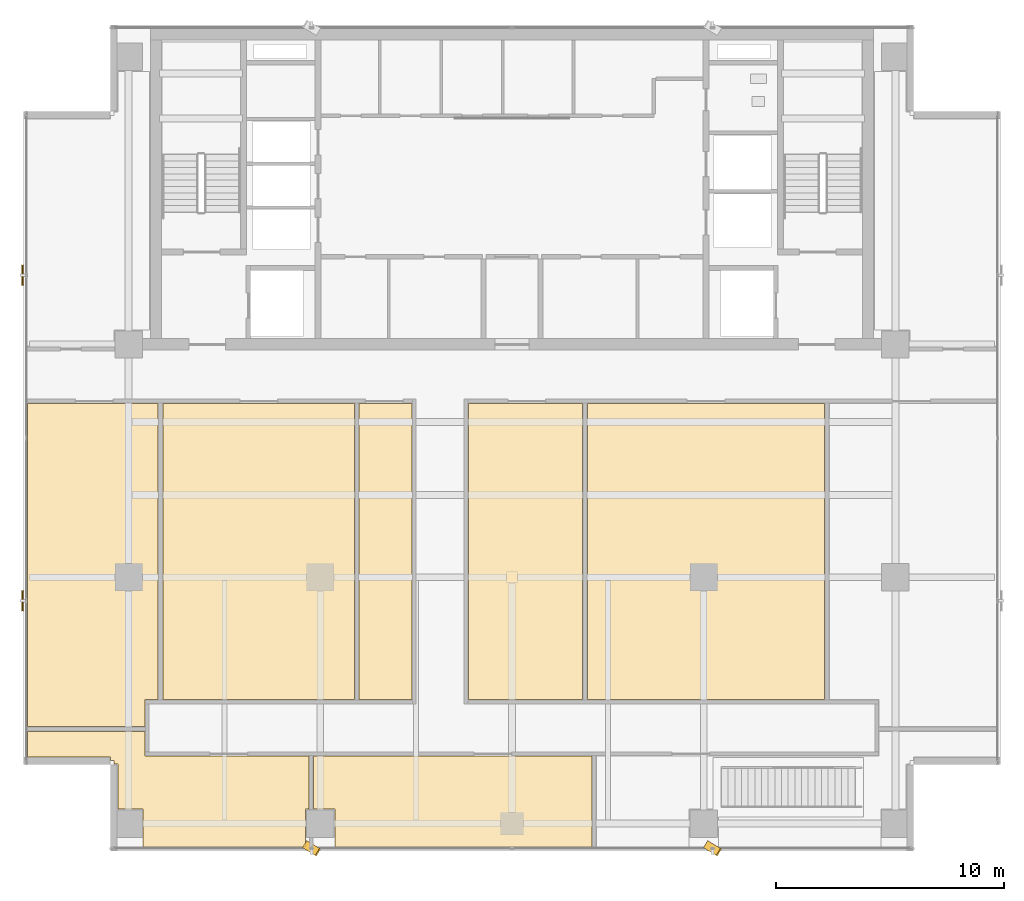
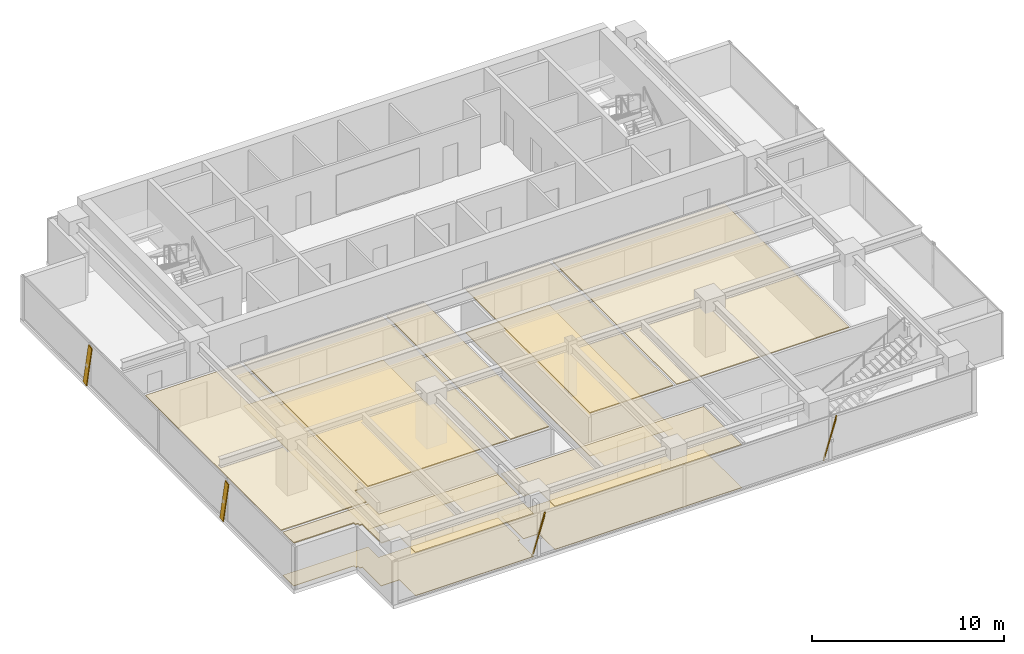
# One storey, part 18 of 22: 11 coverings, 4 shading devices.
"""IFC4 building model written with IfcOpenShell, lengths in metres."""

import ifcopenshell
import ifcopenshell.guid

model = None  # the IFC model being written
_history = None  # IfcOwnerHistory: only IFC2X3 demands one
_inside = {}  # id of a spatial element -> (the spatial element, [elements in it])
_under = {}  # id of a project, library or spatial element -> (it, [spatial elements below it])
_declared = {}  # id of a project -> (the project, [libraries it declares])
_typed = {}  # id of a type object -> (the type object, [elements of that type])
_made_of = {}  # id of a material, layer set ... -> (it, [elements and type objects made of it])


def new_model(schema):
    """Start an empty IFC model of exactly this schema.

    Asked for "IFC4X3", IfcOpenShell would pick the latest addendum, in which some entities
    have other attributes; the version numbers below select the first issue.
    IFC2X3 requires an IfcOwnerHistory on every rooted entity: one is made here for all.
    """
    global model, _history
    if schema == "IFC4X3":
        model = ifcopenshell.file(schema_version=(4, 3, 0, 0))
    else:
        model = ifcopenshell.file(schema=schema)
    _inside.clear()
    _under.clear()
    _declared.clear()
    _typed.clear()
    _made_of.clear()
    _history = None
    if model.schema == "IFC2X3":
        org = make("IfcOrganization", Name="unknown")
        user = make(
            "IfcPersonAndOrganization",
            ThePerson=make("IfcPerson", FamilyName="unknown"),
            TheOrganization=org,
        )
        app = make(
            "IfcApplication",
            ApplicationDeveloper=org,
            Version="unknown",
            ApplicationFullName="unknown",
            ApplicationIdentifier="unknown",
        )
        _history = make(
            "IfcOwnerHistory",
            OwningUser=user,
            OwningApplication=app,
            ChangeAction="ADDED",
            CreationDate=0,
        )
    return model


def make(cls, **values):
    """One entity of the class cls with the attributes given. An attribute that is None is left unset."""
    return model.create_entity(
        cls, **{name: value for name, value in values.items() if value is not None}
    )


def rooted(cls, **values):
    """An entity with a GlobalId (a new one), such as an element, a storey or a relation."""
    return make(cls, GlobalId=ifcopenshell.guid.new(), OwnerHistory=_history, **values)


def si_unit(unit_type, name, prefix=None):
    """IfcSIUnit, for example si_unit("LENGTHUNIT", "METRE", prefix="MILLI")."""
    return make("IfcSIUnit", UnitType=unit_type, Prefix=prefix, Name=name)


def assignment(units):
    """IfcUnitAssignment: the units of a project."""
    return None if units is None else make("IfcUnitAssignment", Units=units)


def point(xyz):
    """IfcCartesianPoint."""
    return None if xyz is None else make("IfcCartesianPoint", Coordinates=xyz)


def direction(xyz):
    """IfcDirection."""
    return None if xyz is None else make("IfcDirection", DirectionRatios=xyz)


def frame(location, z_axis=None, x_axis=None):
    """IfcAxis2Placement3D, a coordinate frame: its origin and axes. An axis left out is left unset."""
    return make(
        "IfcAxis2Placement3D",
        Location=point(location),
        Axis=direction(z_axis),
        RefDirection=direction(x_axis),
    )


def frame_2d(location, x_axis=None):
    """IfcAxis2Placement2D, a coordinate frame in the plane: its origin and x axis."""
    return make(
        "IfcAxis2Placement2D", Location=point(location), RefDirection=direction(x_axis)
    )


def origin():
    """The frame at (0, 0, 0) with its axes left unset."""
    return frame((0.0, 0.0, 0.0))


def origin_2d():
    """The frame at (0, 0) in the plane with its x axis left unset."""
    return frame_2d((0.0, 0.0))


def place(relative_to, where):
    """IfcLocalPlacement: puts the frame where relative to a parent placement (None: the world)."""
    return make(
        "IfcLocalPlacement", PlacementRelTo=relative_to, RelativePlacement=where
    )


def context(
    kind, dimensions, precision=None, world=None, true_north=None, identifier=None
):
    """IfcGeometricRepresentationContext, for example the 3D "Model" context."""
    return make(
        "IfcGeometricRepresentationContext",
        ContextIdentifier=identifier,
        ContextType=kind,
        CoordinateSpaceDimension=dimensions,
        Precision=precision,
        WorldCoordinateSystem=world,
        TrueNorth=true_north,
    )


def subcontext(parent, identifier, kind, view, scale=None):
    """IfcGeometricRepresentationSubContext, for example "Body" below "Model"."""
    return make(
        "IfcGeometricRepresentationSubContext",
        ContextIdentifier=identifier,
        ContextType=kind,
        ParentContext=parent,
        TargetScale=scale,
        TargetView=view,
    )


def project(units=None, contexts=None):
    """IfcProject with its units and contexts."""
    return rooted(
        "IfcProject",
        Name="project",
        RepresentationContexts=contexts,
        UnitsInContext=assignment(units),
    )


def spatial(cls, under=None, at=None, **own):
    """A site, building, storey or space (cls), placed at a placement, below another one or the project."""
    s = rooted(cls, ObjectPlacement=at, **own)
    if under is not None:
        _under.setdefault(under.id(), (under, []))[1].append(s)
    return s


def polyline(points):
    """IfcPolyline through the points."""
    return make("IfcPolyline", Points=[point(p) for p in points])


def profile(cls, at=None, kind="AREA", **sizes):
    """A parametric profile (cls). Its sizes go by their IFC names, for example OverallWidth=200.0."""
    return make(cls, ProfileType=kind, Position=at, **sizes)


def rectangle(**sizes):
    """IfcRectangleProfileDef."""
    return profile("IfcRectangleProfileDef", **sizes)


def outline(outer, holes=None, kind="AREA"):
    """IfcArbitraryClosedProfileDef: a profile drawn as a closed curve; with holes, ...WithVoids."""
    if holes is None:
        return make("IfcArbitraryClosedProfileDef", ProfileType=kind, OuterCurve=outer)
    return make(
        "IfcArbitraryProfileDefWithVoids",
        ProfileType=kind,
        OuterCurve=outer,
        InnerCurves=holes,
    )


def extrude(swept, where, along, depth):
    """IfcExtrudedAreaSolid: the profile swept, set in the frame where, extruded along a direction by depth."""
    return make(
        "IfcExtrudedAreaSolid",
        SweptArea=swept,
        Position=where,
        ExtrudedDirection=direction(along),
        Depth=depth,
    )


def shape(context_of_items, identifier, shape_type, items):
    """IfcShapeRepresentation: the items that make up one representation, for example the "Body"."""
    return make(
        "IfcShapeRepresentation",
        ContextOfItems=context_of_items,
        RepresentationIdentifier=identifier,
        RepresentationType=shape_type,
        Items=items,
    )


def source(mapping_origin, context_of_items, identifier, shape_type, items):
    """IfcRepresentationMap: a shape defined once, which mapped items show again and again."""
    return make(
        "IfcRepresentationMap",
        MappingOrigin=mapping_origin,
        MappedRepresentation=shape(context_of_items, identifier, shape_type, items),
    )


def transform(
    local_origin,
    x_axis=None,
    y_axis=None,
    z_axis=None,
    scale=None,
    scale2=None,
    scale3=None,
    uniform=True,
):
    """IfcCartesianTransformationOperator3D, or its non-uniform kind. x_axis, y_axis, z_axis: its Axis1, 2, 3."""
    if uniform:
        return make(
            "IfcCartesianTransformationOperator3D",
            Axis1=direction(x_axis),
            Axis2=direction(y_axis),
            LocalOrigin=point(local_origin),
            Scale=scale,
            Axis3=direction(z_axis),
        )
    return make(
        "IfcCartesianTransformationOperator3DnonUniform",
        Axis1=direction(x_axis),
        Axis2=direction(y_axis),
        LocalOrigin=point(local_origin),
        Scale=scale,
        Axis3=direction(z_axis),
        Scale2=scale2,
        Scale3=scale3,
    )


def mapped(mapping_source, mapping_target):
    """IfcMappedItem: shows the shape of a source again, moved by a transform."""
    return make(
        "IfcMappedItem", MappingSource=mapping_source, MappingTarget=mapping_target
    )


def material(Name=None, Category=None):
    """IfcMaterial."""
    return make("IfcMaterial", Name=Name, Category=Category)


def layer(
    of_material, thickness, ventilated=None, Name=None, Category=None, Priority=None
):
    """IfcMaterialLayer: one layer of a wall or slab, of a material (None: an air gap)."""
    return make(
        "IfcMaterialLayer",
        Material=of_material,
        LayerThickness=thickness,
        IsVentilated=ventilated,
        Name=Name,
        Category=Category,
        Priority=Priority,
    )


def layer_set(layers, Name=None):
    """IfcMaterialLayerSet."""
    return make("IfcMaterialLayerSet", MaterialLayers=layers, LayerSetName=Name)


def material_profile(
    of_material, cross_section, Name=None, Category=None, Priority=None
):
    """IfcMaterialProfile: a cross section and its material."""
    return make(
        "IfcMaterialProfile",
        Name=Name,
        Material=of_material,
        Profile=cross_section,
        Priority=Priority,
        Category=Category,
    )


def profile_set(profiles, Name=None, composite=None):
    """IfcMaterialProfileSet."""
    return make(
        "IfcMaterialProfileSet",
        Name=Name,
        MaterialProfiles=profiles,
        CompositeProfile=composite,
    )


def made_of(thing, what):
    """Note that an element or type object is made of a material, layer set ...; save() writes the relation."""
    if what is not None:
        _made_of.setdefault(what.id(), (what, []))[1].append(thing)
    return thing


def type_object(cls, material=None, **own):
    """A type object (cls), such as IfcWallType, which elements share."""
    return made_of(rooted(cls, **own), material)


def element(
    cls,
    number,
    at=None,
    inside=None,
    cuts=None,
    type_object=None,
    material=None,
    context=None,
    identifier="Body",
    shape_type=None,
    held_by="IfcProductDefinitionShape",
    body=None,
    shapes=None,
    **own,
):
    """One element of the class cls, such as IfcWall. Its Tag is "e" and its number.

    at: its placement. inside: the storey or other place that contains it. cuts: it is an
    opening in that element (IfcRelVoidsElement). A single representation is given by context,
    identifier, shape_type and body (its items); several are given by shapes. held_by: the class
    of the entity that holds the representations. save() writes the other relations.
    """
    e = rooted(cls, Tag="e%d" % number, ObjectPlacement=at, **own)
    if body is not None:
        shapes = [shape(context, identifier, shape_type, body)]
    if shapes is not None:
        e.Representation = make(held_by, Representations=shapes)
    if inside is not None:
        _inside.setdefault(inside.id(), (inside, []))[1].append(e)
    if cuts is not None:
        rooted(
            "IfcRelVoidsElement", RelatingBuildingElement=cuts, RelatedOpeningElement=e
        )
    if type_object is not None:
        _typed.setdefault(type_object.id(), (type_object, []))[1].append(e)
    return made_of(e, material)


def aggregate(whole, parts):
    """IfcRelAggregates: a whole, such as a stair, and the parts it consists of."""
    return rooted("IfcRelAggregates", RelatingObject=whole, RelatedObjects=parts)


def save(model, path):
    """Write the relations noted so far, then the file.

    IfcRelAggregates (storeys below a building ...), IfcRelContainedInSpatialStructure (elements
    in a storey), IfcRelDefinesByType, IfcRelAssociatesMaterial and IfcRelDeclares: one each for
    every whole, place, type object, material and project.
    """
    for whole, parts in _under.values():
        aggregate(whole, parts)
    for where, things in _inside.values():
        rooted(
            "IfcRelContainedInSpatialStructure",
            RelatedElements=things,
            RelatingStructure=where,
        )
    for kind, things in _typed.values():
        rooted("IfcRelDefinesByType", RelatedObjects=things, RelatingType=kind)
    for what, things in _made_of.values():
        rooted("IfcRelAssociatesMaterial", RelatedObjects=things, RelatingMaterial=what)
    for by, libraries in _declared.values():
        rooted("IfcRelDeclares", RelatingContext=by, RelatedDefinitions=libraries)
    model.write(path)


model = new_model("IFC4")

# Units and contexts
model_context = context("Model", 3, precision=1e-05, world=origin(), true_north=direction((0.0, 1.0)))
body_context = subcontext(model_context, "Body", "Model", "MODEL_VIEW")
ifc_project = project(units=[si_unit("LENGTHUNIT", "METRE"), si_unit("AREAUNIT", "SQUARE_METRE"), si_unit("VOLUMEUNIT", "CUBIC_METRE"), si_unit("PLANEANGLEUNIT", "RADIAN"), si_unit("MASSUNIT", "GRAM", prefix="KILO")], contexts=[model_context])

# Site, building, storey
site_placement = place(None, origin())
site = spatial("IfcSite", under=ifc_project, at=site_placement, CompositionType="ELEMENT")
building_placement = place(site_placement, origin())
building = spatial("IfcBuilding", under=site, at=building_placement, Name="Sumidabori Civic Tower", CompositionType="ELEMENT")
storey_placement = place(building_placement, frame((0.0, 0.0, 286.39990234375)))
storey = spatial("IfcBuildingStorey", under=building, at=storey_placement, Name="L75", CompositionType="ELEMENT", Elevation=286.39990234375)

# Coverings
ifc_material_1 = material(Name="Gypsum Coffered Acoustic Ceiling")
ifc_layer_1 = layer(ifc_material_1, 0.06494140625, Name="Gypsum Coffered Acoustic Ceiling")
ifc_layer_set_1 = layer_set([ifc_layer_1], Name="Gypsum Coffered Acoustic Ceiling")
covering_type_1 = type_object("IfcCoveringType", Name="CV-CEIL-AC4", PredefinedType="CEILING", material=ifc_layer_set_1)
covering_1_placement = place(storey_placement, frame((0.0, 0.0, 2.72021484375)))
element("IfcCovering", 1, at=covering_1_placement, inside=storey, type_object=covering_type_1, Name="Room Acoustic Ceiling L75-03", PredefinedType="CEILING", context=body_context, shape_type="SweptSolid", body=[
    extrude(outline(polyline([(-15.297607421875, 7.614990234375), (-6.902587890625, 7.614990234375), (-6.902587890625, -5.364990234375), (-15.297607421875, -5.364990234375), (-15.297607421875, 7.614990234375)])), origin(), (0.0, 0.0, 1.0), 0.06494140625),
])
covering_2_placement = place(storey_placement, frame((0.0, 0.0, 2.72021484375)))
element("IfcCovering", 2, at=covering_2_placement, inside=storey, type_object=covering_type_1, Name="Room Acoustic Ceiling L75-04", PredefinedType="CEILING", context=body_context, shape_type="SweptSolid", body=[
    extrude(outline(polyline([(-6.697509765625, 7.614990234375), (-4.385009765625, 7.614990234375), (-4.385009765625, -5.364990234375), (-6.697509765625, -5.364990234375), (-6.697509765625, 7.614990234375)])), origin(), (0.0, 0.0, 1.0), 0.06494140625),
])
covering_3_placement = place(storey_placement, frame((0.0, 0.0, 2.72021484375)))
element("IfcCovering", 3, at=covering_3_placement, inside=storey, type_object=covering_type_1, Name="Room Acoustic Ceiling L75-05", PredefinedType="CEILING", context=body_context, shape_type="SweptSolid", body=[
    extrude(outline(polyline([(-1.9150390625, -5.364990234375), (-1.9150390625, 7.614990234375), (3.097412109375, 7.614990234375), (3.097412109375, -5.364990234375), (-1.9150390625, -5.364990234375)])), origin(), (0.0, 0.0, 1.0), 0.06494140625),
])
covering_4_placement = place(storey_placement, frame((0.0, 0.0, 2.72021484375)))
element("IfcCovering", 4, at=covering_4_placement, inside=storey, type_object=covering_type_1, Name="Room Acoustic Ceiling L75-06", PredefinedType="CEILING", context=body_context, shape_type="SweptSolid", body=[
    extrude(outline(polyline([(3.302490234375, -5.364990234375), (3.302490234375, 7.614990234375), (13.697509765625, 7.614990234375), (13.697509765625, -5.364990234375), (3.302490234375, -5.364990234375)])), origin(), (0.0, 0.0, 1.0), 0.06494140625),
])
covering_5_placement = place(storey_placement, frame((0.0, 0.0, 2.72021484375)))
element("IfcCovering", 5, at=covering_5_placement, inside=storey, type_object=covering_type_1, Name="Room Acoustic Ceiling L75-08", PredefinedType="CEILING", context=body_context, shape_type="SweptSolid", body=[
    extrude(outline(polyline([(-21.22998046875, -6.547607421875), (-21.22998046875, 7.614990234375), (-15.50244140625, 7.614990234375), (-15.50244140625, -5.364990234375), (-16.0849609375, -5.364990234375), (-16.0849609375, -6.547607421875), (-21.22998046875, -6.547607421875)])), origin(), (0.0, 0.0, 1.0), 0.06494140625),
])
covering_6_placement = place(storey_placement, frame((0.0, 0.0, 2.72021484375)))
element("IfcCovering", 6, at=covering_6_placement, inside=storey, type_object=covering_type_1, Name="Room Acoustic Ceiling L75-09", PredefinedType="CEILING", context=body_context, shape_type="SweptSolid", body=[
    extrude(outline(polyline([(-21.22998046875, -7.8720703125), (-21.22998046875, -6.75244140625), (-16.0849609375, -6.75244140625), (-16.0849609375, -7.8349609375), (-8.902587890625, -7.8349609375), (-8.902587890625, -10.159912109375), (-9.0400390625, -10.159912109375), (-9.0400390625, -11.830078125), (-16.159912109375, -11.830078125), (-16.159912109375, -10.159912109375), (-17.27197265625, -10.159912109375), (-17.27197265625, -8.19189453125), (-17.429931640625, -8.19189453125), (-17.429931640625, -8.030029296875), (-17.592041015625, -8.030029296875), (-17.592041015625, -7.8720703125), (-21.22998046875, -7.8720703125)])), origin(), (0.0, 0.0, 1.0), 0.06494140625),
])
covering_7_placement = place(storey_placement, frame((0.0, 0.0, 2.72021484375)))
element("IfcCovering", 7, at=covering_7_placement, inside=storey, type_object=covering_type_1, Name="Room Acoustic Ceiling L75-11", PredefinedType="CEILING", context=body_context, shape_type="SweptSolid", body=[
    extrude(outline(polyline([(3.49755859375, -7.8349609375), (3.49755859375, -11.830078125), (-7.760009765625, -11.830078125), (-7.760009765625, -10.159912109375), (-8.697509765625, -10.159912109375), (-8.697509765625, -7.8349609375), (3.49755859375, -7.8349609375)])), origin(), (0.0, 0.0, 1.0), 0.06494140625),
])
ifc_material_2 = material(Name="Honed Terrazzo Tile Flooring")
ifc_layer_2 = layer(ifc_material_2, 0.030029296875, Name="Honed Terrazzo Tile Flooring")
ifc_layer_set_2 = layer_set([ifc_layer_2], Name="Honed Terrazzo Tile Flooring")
covering_type_2 = type_object("IfcCoveringType", Name="CV-FLR-TER", PredefinedType="FLOORING", material=ifc_layer_set_2)
covering_8_placement = place(storey_placement, origin())
element("IfcCovering", 8, at=covering_8_placement, inside=storey, type_object=covering_type_2, Name="Room Terrazzo Floor L75-03", PredefinedType="FLOORING", context=body_context, shape_type="SweptSolid", body=[
    extrude(outline(polyline([(-15.297607421875, 7.614990234375), (-6.902587890625, 7.614990234375), (-6.902587890625, -5.364990234375), (-15.297607421875, -5.364990234375), (-15.297607421875, 7.614990234375)])), origin(), (0.0, 0.0, 1.0), 0.030029296875),
])
covering_9_placement = place(storey_placement, origin())
element("IfcCovering", 9, at=covering_9_placement, inside=storey, type_object=covering_type_2, Name="Room Terrazzo Floor L75-05", PredefinedType="FLOORING", context=body_context, shape_type="SweptSolid", body=[
    extrude(outline(polyline([(-1.9150390625, -5.364990234375), (-1.9150390625, 7.614990234375), (3.097412109375, 7.614990234375), (3.097412109375, -5.364990234375), (-1.9150390625, -5.364990234375)])), origin(), (0.0, 0.0, 1.0), 0.030029296875),
])
covering_10_placement = place(storey_placement, origin())
element("IfcCovering", 10, at=covering_10_placement, inside=storey, type_object=covering_type_2, Name="Room Terrazzo Floor L75-09", PredefinedType="FLOORING", context=body_context, shape_type="SweptSolid", body=[
    extrude(outline(polyline([(-21.22998046875, -7.8720703125), (-21.22998046875, -6.75244140625), (-16.0849609375, -6.75244140625), (-16.0849609375, -7.8349609375), (-8.902587890625, -7.8349609375), (-8.902587890625, -10.159912109375), (-9.0400390625, -10.159912109375), (-9.0400390625, -11.830078125), (-16.159912109375, -11.830078125), (-16.159912109375, -10.159912109375), (-17.27197265625, -10.159912109375), (-17.27197265625, -8.19189453125), (-17.429931640625, -8.19189453125), (-17.429931640625, -8.030029296875), (-17.592041015625, -8.030029296875), (-17.592041015625, -7.8720703125), (-21.22998046875, -7.8720703125)])), origin(), (0.0, 0.0, 1.0), 0.030029296875),
])
covering_11_placement = place(storey_placement, origin())
element("IfcCovering", 11, at=covering_11_placement, inside=storey, type_object=covering_type_2, Name="Room Terrazzo Floor L75-11", PredefinedType="FLOORING", context=body_context, shape_type="SweptSolid", body=[
    extrude(outline(polyline([(3.49755859375, -7.8349609375), (3.49755859375, -11.830078125), (-7.760009765625, -11.830078125), (-7.760009765625, -10.159912109375), (-8.697509765625, -10.159912109375), (-8.697509765625, -7.8349609375), (3.49755859375, -7.8349609375)])), origin(), (0.0, 0.0, 1.0), 0.030029296875),
])

# Shading devices
ifc_material_3 = material(Name="Anodised Bronze Aluminium AW-6063-T6", Category="aluminium")
ifc_material_profile = material_profile(ifc_material_3, rectangle(XDim=0.054931640625, YDim=0.360107421875, at=origin_2d()), Name="BRONZE FIN 360x55")
ifc_profile_set = profile_set([ifc_material_profile], Name="Anodised Bronze Aluminium AW-6063-T6")
shading_device_type = type_object("IfcShadingDeviceType", Name="SH-FIN-360", PredefinedType="USERDEFINED", material=ifc_profile_set)
shared_shape_1 = source(origin(), body_context, "Body", "SweptSolid", [
    extrude(rectangle(XDim=0.054931640625, YDim=0.360107421875, at=origin_2d()), origin(), (0.0, 0.0, 1.0), 2.768798828125),
])
for number, where, z_axis, x_axis, name in (
    (12, (-9.06494140625, -11.7099609375, 0.02001953125), (0.202272600211, -0.122827258978, 0.971596243126), (0.830473922694, -0.504293885925, -0.236644755582), "Bronze Anodised Diagonal Fin L75-01"),
    (13, (8.5048828125, -11.7099609375, 0.02001953125), (0.202272600211, -0.122827258978, 0.971596243126), (0.830473922694, -0.504293885925, -0.236644755582), "Bronze Anodised Diagonal Fin L75-03"),
):
    element("IfcShadingDevice", number, at=place(storey_placement, frame(where, z_axis=z_axis, x_axis=x_axis)), inside=storey, type_object=shading_device_type, Name=name, ObjectType="FIN", PredefinedType="USERDEFINED", context=body_context, shape_type="MappedRepresentation", body=[
        mapped(shared_shape_1, transform((0.0, 0.0, 0.0), x_axis=(1.0, 0.0, 0.0), y_axis=(0.0, 1.0, 0.0), z_axis=(0.0, 0.0, 1.0), scale=1.0)),
    ])
shared_shape_2 = source(origin(), body_context, "Body", "SweptSolid", [
    extrude(rectangle(XDim=0.054931640625, YDim=0.360107421875, at=origin_2d()), origin(), (0.0, 0.0, 1.0), 2.747802734375),
])
for number, where, z_axis, x_axis, name in (
    (14, (-21.449951171875, 13.514892578125, 0.02001953125), (0.0, -0.203730721899, 0.979026962323), (-1.0, 0.0, 0.0), "Bronze Anodised Diagonal Fin L75-01"),
    (15, (-21.449951171875, -0.7548828125, 0.02001953125), (0.0, -0.203815880787, 0.97900923731), (-1.0, 0.0, 0.0), "Bronze Anodised Diagonal Fin L75-03"),
):
    element("IfcShadingDevice", number, at=place(storey_placement, frame(where, z_axis=z_axis, x_axis=x_axis)), inside=storey, type_object=shading_device_type, Name=name, ObjectType="FIN", PredefinedType="USERDEFINED", context=body_context, shape_type="MappedRepresentation", body=[
        mapped(shared_shape_2, transform((0.0, 0.0, 0.0), x_axis=(1.0, 0.0, 0.0), y_axis=(0.0, 1.0, 0.0), z_axis=(0.0, 0.0, 1.0), scale=1.0)),
    ])

save(model, "model.ifc")
